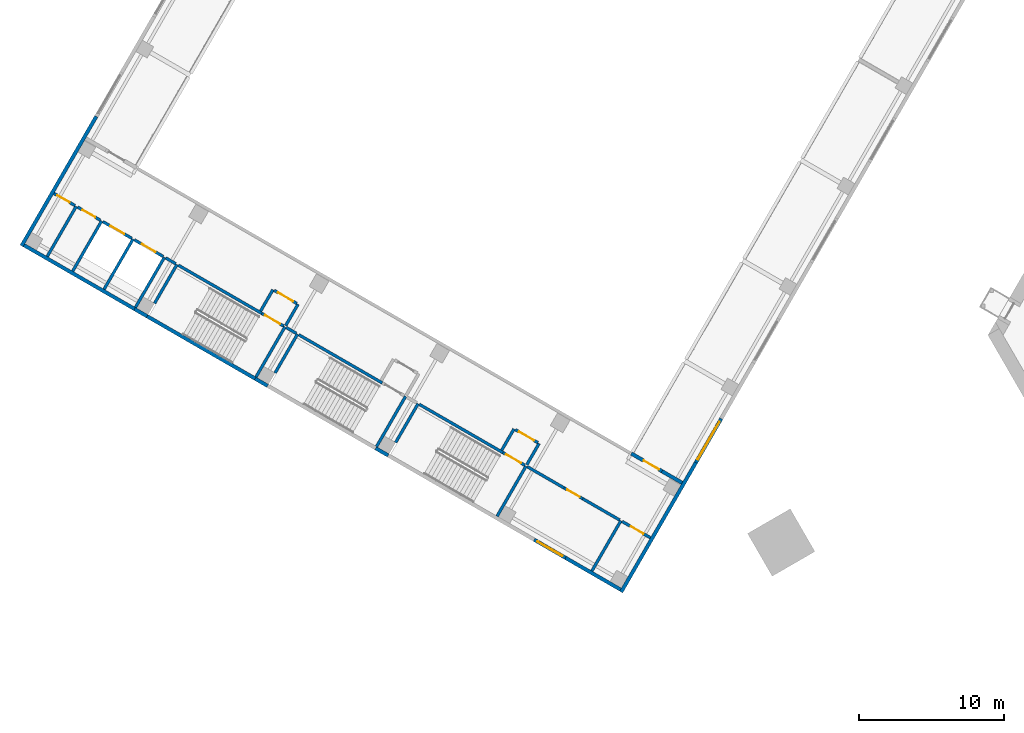
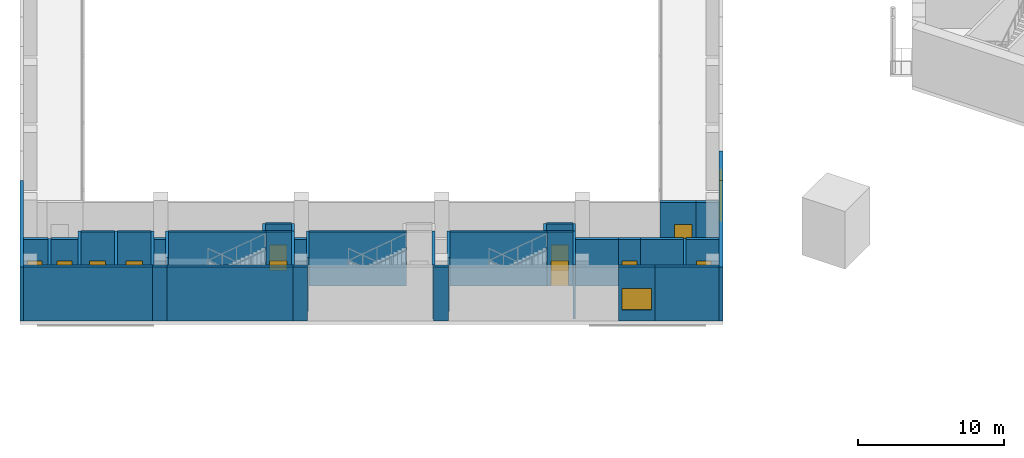
# One storey, part 6 of 28: 44 walls, 11 doors, 2 windows, 13 openings.
"""IFC4 building model written with IfcOpenShell, lengths in metres."""

from ifc_helpers import new_model, si_unit, direction, frame, frame_2d, origin, place, context, subcontext, project, spatial, rectangle, extrude, material, layer, layer_set, type_object, element, fill, save


model = new_model("IFC4")

# Units and contexts
model_context = context("Model", 3, precision=1e-05, world=origin(), true_north=direction((0.0, 1.0)))
body_context = subcontext(model_context, "Body", "Model", "MODEL_VIEW")
ifc_project = project(units=[si_unit("LENGTHUNIT", "METRE"), si_unit("AREAUNIT", "SQUARE_METRE"), si_unit("VOLUMEUNIT", "CUBIC_METRE"), si_unit("PLANEANGLEUNIT", "RADIAN"), si_unit("MASSUNIT", "GRAM", prefix="KILO")], contexts=[model_context])

# Site, building, storey
site_placement = place(None, origin())
site = spatial("IfcSite", under=ifc_project, at=site_placement, CompositionType="ELEMENT")
building_placement = place(site_placement, origin())
building = spatial("IfcBuilding", under=site, at=building_placement, Name="Mestral Congress Tower", CompositionType="ELEMENT")
storey_placement = place(building_placement, frame((0.0, 0.0, 11.39990234375)))
storey = spatial("IfcBuildingStorey", under=building, at=storey_placement, Name="L02", CompositionType="ELEMENT", Elevation=11.39990234375)

# Wall, opening, window
ifc_material_1 = material(Name="Precast concrete C40/50 with limestone facing", Category="masonry")
ifc_layer_1 = layer(ifc_material_1, 0.25)
ifc_layer_set_1 = layer_set([ifc_layer_1], Name="Precast concrete C40/50 with limestone facing")
wall_type_1 = type_object("IfcWallType", Name="Podium external wall 250", PredefinedType="SOLIDWALL", material=ifc_layer_set_1)
wall_1_placement = place(storey_placement, frame((-35.656494140625, -9.653076171875, 0.0), z_axis=(0.0, 0.0, 1.0), x_axis=(-0.500010275428, -0.866019471182, 0.0)))
wall_1 = element("IfcWall", 1, at=wall_1_placement, inside=storey, type_object=wall_type_1, Name="L02 external wall", PredefinedType="SOLIDWALL", context=body_context, shape_type="SweptSolid", body=[
    extrude(rectangle(XDim=3.5, YDim=0.25, at=frame_2d((1.75, 0.0))), origin(), (0.0, 0.0, 1.0), 4.5),
])
opening_1_placement = place(wall_1_placement, frame((0.25, 0.0, 0.89990234375)))
opening_1 = element("IfcOpeningElement", 2, at=opening_1_placement, cuts=wall_1, Name="Opening PW-3000x2200", PredefinedType="OPENING", context=body_context, shape_type="SweptSolid", body=[
    extrude(rectangle(XDim=3.0, YDim=2.199951171875, at=frame_2d((1.5, 1.10009765625))), frame((0.0, 0.135009765625, 0.0), z_axis=(0.0, -1.0, 0.0), x_axis=(1.0, 0.0, 0.0)), (0.0, 0.0, 1.0), 0.27001953125),
])
ifc_material_2 = material(Name="Aluminium frame, clear double glazing", Category="aluminium")
window_type_1 = type_object("IfcWindowType", Name="Podium window 3000x2200 sill 900", PartitioningType="SINGLE_PANEL", PredefinedType="WINDOW", material=ifc_material_2)
window_1_placement = place(opening_1_placement, origin())
window_1 = element("IfcWindow", 3, at=window_1_placement, inside=storey, type_object=window_type_1, Name="Window", OverallHeight=2.199951171875, OverallWidth=3.0, PartitioningType="SINGLE_PANEL", PredefinedType="WINDOW", context=body_context, shape_type="SweptSolid", body=[
    extrude(rectangle(XDim=3.0, YDim=2.199951171875, at=frame_2d((1.5, 1.10009765625))), frame((0.0, 0.030029296875, 0.0), z_axis=(0.0, -1.0, 0.0), x_axis=(1.0, 0.0, 0.0)), (0.0, 0.0, 1.0), 0.06005859375),
])
fill(opening_1, window_1)

# Walls
for number, where, z_axis, x_axis, name in (
    (4, (-37.406494140625, -12.68408203125, 0.0), (0.0, 0.0, 1.0), (-0.500001855621, -0.866024332438, 0.0), "L02 external wall"),
    (5, (-83.915283203125, 2.260498046875, 0.0), (0.0, 0.0, 1.0), (0.500001855621, 0.866024332438, 0.0), "L02 external wall"),
):
    element("IfcWall", number, at=place(storey_placement, frame(where, z_axis=z_axis, x_axis=x_axis)), inside=storey, type_object=wall_type_1, Name=name, PredefinedType="SOLIDWALL", context=body_context, shape_type="SweptSolid", body=[
        extrude(rectangle(XDim=10.31201171875, YDim=0.25, at=frame_2d((5.156005859375, 0.0))), origin(), (0.0, 0.0, 1.0), 4.5),
    ])
wall_2_placement = place(storey_placement, frame((-42.6083984375, -21.44384765625, 0.0), z_axis=(0.0, 0.0, 1.0), x_axis=(-0.866022959057, 0.500004234368, 0.0)))
element("IfcWall", 6, at=wall_2_placement, inside=storey, type_object=wall_type_1, Name="L02 external wall", PredefinedType="SOLIDWALL", context=body_context, shape_type="SweptSolid", body=[
    extrude(rectangle(XDim=4.375, YDim=0.25, at=frame_2d((2.1875, 0.0))), origin(), (0.0, 0.0, 1.0), 4.5),
])

# Wall, opening, window
wall_3_placement = place(storey_placement, frame((-46.397216796875, -19.25634765625, 0.0), z_axis=(0.0, 0.0, 1.0), x_axis=(-0.866022959057, 0.500004234368, 0.0)))
wall_3 = element("IfcWall", 7, at=wall_3_placement, inside=storey, type_object=wall_type_1, Name="L02 external wall", PredefinedType="SOLIDWALL", context=body_context, shape_type="SweptSolid", body=[
    extrude(rectangle(XDim=2.5, YDim=0.25, at=frame_2d((1.25, 0.0))), origin(), (0.0, 0.0, 1.0), 4.5),
])
opening_2_placement = place(wall_3_placement, frame((0.25, 0.0, 0.89990234375)))
opening_2 = element("IfcOpeningElement", 8, at=opening_2_placement, cuts=wall_3, Name="Opening PW-2000x1800", PredefinedType="OPENING", context=body_context, shape_type="SweptSolid", body=[
    extrude(rectangle(XDim=2.0, YDim=1.800048828125, at=frame_2d((1.0, 0.89990234375))), frame((0.0, 0.135009765625, 0.0), z_axis=(0.0, -1.0, 0.0), x_axis=(1.0, 0.0, 0.0)), (0.0, 0.0, 1.0), 0.27001953125),
])
window_type_2 = type_object("IfcWindowType", Name="Podium window 2000x1800 sill 900", PartitioningType="SINGLE_PANEL", PredefinedType="WINDOW", material=ifc_material_2)
window_2_placement = place(opening_2_placement, origin())
window_2 = element("IfcWindow", 9, at=window_2_placement, inside=storey, type_object=window_type_2, Name="Window", OverallHeight=1.800048828125, OverallWidth=2.0, PartitioningType="SINGLE_PANEL", PredefinedType="WINDOW", context=body_context, shape_type="SweptSolid", body=[
    extrude(rectangle(XDim=2.0, YDim=1.800048828125, at=frame_2d((1.0, 0.89990234375))), frame((0.0, 0.030029296875, 0.0), z_axis=(0.0, -1.0, 0.0), x_axis=(1.0, 0.0, 0.0)), (0.0, 0.0, 1.0), 0.06005859375),
])
fill(opening_2, window_2)

# Walls
wall_4_placement = place(storey_placement, frame((-67.8095703125, -6.893798828125, 0.0), z_axis=(0.0, 0.0, 1.0), x_axis=(-0.866028165386, 0.499995216735, 0.0)))
element("IfcWall", 10, at=wall_4_placement, inside=storey, type_object=wall_type_1, Name="L02 external wall", PredefinedType="SOLIDWALL", context=body_context, shape_type="SweptSolid", body=[
    extrude(rectangle(XDim=8.60009765625, YDim=0.25, at=frame_2d((4.300048828125, 0.0))), origin(), (0.0, 0.0, 1.0), 4.5),
])
wall_5_placement = place(storey_placement, frame((-76.12353515625, -2.09375, 0.0), z_axis=(0.0, 0.0, 1.0), x_axis=(-0.866025267465, 0.500000236112, 0.0)))
element("IfcWall", 11, at=wall_5_placement, inside=storey, type_object=wall_type_1, Name="L02 external wall", PredefinedType="SOLIDWALL", context=body_context, shape_type="SweptSolid", body=[
    extrude(rectangle(XDim=8.7998046875, YDim=0.25, at=frame_2d((4.39990234375, 0.0))), origin(), (0.0, 0.0, 1.0), 4.5),
])
for number, where, z_axis, x_axis, name in (
    (12, (-58.6298828125, -12.19384765625, 0.0), (0.0, 0.0, 1.0), (-0.866010750942, 0.50002537861, 0.0), "L02 external wall"),
    (13, (-66.943603515625, -7.393798828125, 0.0), (0.0, 0.0, 1.0), (-0.866010750942, 0.50002537861, 0.0), "L02 external wall"),
    (14, (-75.257568359375, -2.59375, 0.0), (0.0, 0.0, 1.0), (-0.866010750942, 0.50002537861, 0.0), "L02 external wall"),
):
    element("IfcWall", number, at=place(storey_placement, frame(where, z_axis=z_axis, x_axis=x_axis)), inside=storey, type_object=wall_type_1, Name=name, PredefinedType="SOLIDWALL", context=body_context, shape_type="SweptSolid", body=[
        extrude(rectangle(XDim=1.0, YDim=0.25, at=frame_2d((0.5, 0.0))), origin(), (0.0, 0.0, 1.0), 4.5),
    ])
ifc_material_3 = material(Name="Masonry block wall", Category="masonry")
ifc_layer_2 = layer(ifc_material_3, 0.25)
ifc_layer_set_2 = layer_set([ifc_layer_2], Name="Masonry block wall")
wall_type_2 = type_object("IfcWallType", Name="Podium hall wall 250 EI 180", PredefinedType="SOLIDWALL", material=ifc_layer_set_2)
wall_6_placement = place(storey_placement, frame((-38.3583984375, -14.08251953125, 0.0), z_axis=(0.0, 0.0, 1.0), x_axis=(-0.866055983265, 0.499947031044, 0.0)))
element("IfcWall", 15, at=wall_6_placement, inside=storey, type_object=wall_type_2, Name="L02 partition", PredefinedType="SOLIDWALL", context=body_context, shape_type="SweptSolid", body=[
    extrude(rectangle(XDim=1.599853515625, YDim=0.25, at=frame_2d((0.7998046875, 0.0))), origin(), (0.0, 0.0, 1.0), 3.900146484375),
])

# Wall, opening, door
wall_7_placement = place(storey_placement, frame((-39.743896484375, -13.28271484375, 0.0), z_axis=(0.0, 0.0, 1.0), x_axis=(-0.866014668023, 0.500018594424, 0.0)))
wall_7 = element("IfcWall", 16, at=wall_7_placement, inside=storey, type_object=wall_type_2, Name="L02 partition", PredefinedType="SOLIDWALL", context=body_context, shape_type="SweptSolid", body=[
    extrude(rectangle(XDim=2.4501953125, YDim=0.25, at=frame_2d((1.22509765625, 0.0))), origin(), (0.0, 0.0, 1.0), 3.900146484375),
])
opening_3_placement = place(wall_7_placement, frame((0.25, 0.0, 0.0)))
opening_3 = element("IfcOpeningElement", 17, at=opening_3_placement, cuts=wall_7, Name="Opening P02-319", PredefinedType="OPENING", context=body_context, shape_type="SweptSolid", body=[
    extrude(rectangle(XDim=1.199951171875, YDim=2.10009765625, at=frame_2d((0.60009765625, 1.050048828125))), frame((0.0, 0.135009765625, 0.0), z_axis=(0.0, -1.0, 0.0), x_axis=(1.0, 0.0, 0.0)), (0.0, 0.0, 1.0), 0.27001953125),
])
ifc_material_4 = material(Name="Fire-rated steel door set", Category="steel")
door_type_1 = type_object("IfcDoorType", Name="Podium hall door 1200x2100 EI2 90-C5", OperationType="SINGLE_SWING_LEFT", PredefinedType="DOOR", material=ifc_material_4)
door_1_placement = place(opening_3_placement, origin())
door_1 = element("IfcDoor", 18, at=door_1_placement, inside=storey, type_object=door_type_1, Name="Door P02-319", OperationType="SINGLE_SWING_LEFT", OverallHeight=2.10009765625, OverallWidth=1.199951171875, PredefinedType="DOOR", context=body_context, shape_type="SweptSolid", body=[
    extrude(rectangle(XDim=1.199951171875, YDim=2.10009765625, at=frame_2d((0.60009765625, 1.050048828125))), frame((0.0, 0.02490234375, 0.0), z_axis=(0.0, -1.0, 0.0), x_axis=(1.0, 0.0, 0.0)), (0.0, 0.0, 1.0), 0.050048828125),
])
fill(opening_3, door_1)

# Walls
ifc_layer_3 = layer(ifc_material_3, 0.199951171875)
ifc_layer_set_3 = layer_set([ifc_layer_3], Name="Masonry block wall")
wall_type_3 = type_object("IfcWallType", Name="Podium stair enclosure wall 200 EI 120 load-bearing", PredefinedType="SOLIDWALL", material=ifc_layer_set_3)
wall_8_placement = place(storey_placement, frame((-49.119384765625, -12.92138671875, 0.0), z_axis=(0.0, 0.0, 1.0), x_axis=(-0.49999894854, -0.866026010844, 0.0)))
element("IfcWall", 19, at=wall_8_placement, inside=storey, type_object=wall_type_3, Name="L02 partition", PredefinedType="SOLIDWALL", context=body_context, shape_type="SweptSolid", body=[
    extrude(rectangle(XDim=4.0, YDim=0.199951171875, at=frame_2d((2.0, 0.0))), origin(), (0.0, 0.0, 1.0), 4.5),
])
wall_9_placement = place(storey_placement, frame((-56.5673828125, -8.621337890625, 0.0), z_axis=(0.0, 0.0, 1.0), x_axis=(-0.499933790963, -0.866063626216, 0.0)))
element("IfcWall", 20, at=wall_9_placement, inside=storey, type_object=wall_type_3, Name="L02 partition", PredefinedType="SOLIDWALL", context=body_context, shape_type="SweptSolid", body=[
    extrude(rectangle(XDim=3.10009765625, YDim=0.199951171875, at=frame_2d((1.550048828125, 0.0))), origin(), (0.0, 0.0, 1.0), 4.5),
])
wall_10_placement = place(storey_placement, frame((-57.433349609375, -8.121337890625, 0.0), z_axis=(0.0, 0.0, 1.0), x_axis=(-0.49999894854, -0.866026010844, 0.0)))
element("IfcWall", 21, at=wall_10_placement, inside=storey, type_object=wall_type_3, Name="L02 partition", PredefinedType="SOLIDWALL", context=body_context, shape_type="SweptSolid", body=[
    extrude(rectangle(XDim=4.0, YDim=0.199951171875, at=frame_2d((2.0, 0.0))), origin(), (0.0, 0.0, 1.0), 4.5),
])
wall_11_placement = place(storey_placement, frame((-64.881103515625, -3.8212890625, 0.0), z_axis=(0.0, 0.0, 1.0), x_axis=(-0.49999285859, -0.86602952684, 0.0)))
element("IfcWall", 22, at=wall_11_placement, inside=storey, type_object=wall_type_3, Name="L02 partition", PredefinedType="SOLIDWALL", context=body_context, shape_type="SweptSolid", body=[
    extrude(rectangle(XDim=3.10009765625, YDim=0.199951171875, at=frame_2d((1.550048828125, 0.0))), origin(), (0.0, 0.0, 1.0), 4.5),
])
wall_12_placement = place(storey_placement, frame((-65.7470703125, -3.3212890625, 0.0), z_axis=(0.0, 0.0, 1.0), x_axis=(-0.49999894854, -0.866026010844, 0.0)))
element("IfcWall", 23, at=wall_12_placement, inside=storey, type_object=wall_type_3, Name="L02 partition", PredefinedType="SOLIDWALL", context=body_context, shape_type="SweptSolid", body=[
    extrude(rectangle(XDim=4.0, YDim=0.199951171875, at=frame_2d((2.0, 0.0))), origin(), (0.0, 0.0, 1.0), 4.5),
])
wall_13_placement = place(storey_placement, frame((-73.195068359375, 0.978515625, 0.0), z_axis=(0.0, 0.0, 1.0), x_axis=(-0.500026960575, -0.86600983753, 0.0)))
element("IfcWall", 24, at=wall_13_placement, inside=storey, type_object=wall_type_3, Name="L02 partition", PredefinedType="SOLIDWALL", context=body_context, shape_type="SweptSolid", body=[
    extrude(rectangle(XDim=3.099853515625, YDim=0.199951171875, at=frame_2d((1.5498046875, 0.0))), origin(), (0.0, 0.0, 1.0), 4.5),
])

# Wall, opening, door
wall_14_placement = place(storey_placement, frame((-49.2060546875, -12.871337890625, 0.0), z_axis=(0.0, 0.0, 1.0), x_axis=(-0.866036909293, 0.499980071345, 0.0)))
wall_14 = element("IfcWall", 25, at=wall_14_placement, inside=storey, type_object=wall_type_3, Name="L02 partition", PredefinedType="SOLIDWALL", context=body_context, shape_type="SweptSolid", body=[
    extrude(rectangle(XDim=1.75, YDim=0.199951171875, at=frame_2d((0.875, 0.0))), origin(), (0.0, 0.0, 1.0), 4.5),
])
opening_4_placement = place(wall_14_placement, frame((0.300048828125, 0.0, 0.0)))
opening_4 = element("IfcOpeningElement", 26, at=opening_4_placement, cuts=wall_14, Name="Opening P02-304", PredefinedType="OPENING", context=body_context, shape_type="SweptSolid", body=[
    extrude(rectangle(XDim=1.199951171875, YDim=2.10009765625, at=frame_2d((0.60009765625, 1.050048828125))), frame((0.0, 0.10986328125, 0.0), z_axis=(0.0, -1.0, 0.0), x_axis=(1.0, 0.0, 0.0)), (0.0, 0.0, 1.0), 0.219970703125),
])
door_type_2 = type_object("IfcDoorType", Name="Podium stair door 1200x2100 EI2 30-C5", OperationType="SINGLE_SWING_LEFT", PredefinedType="DOOR", material=ifc_material_4)
door_2_placement = place(opening_4_placement, origin())
door_2 = element("IfcDoor", 27, at=door_2_placement, inside=storey, type_object=door_type_2, Name="Door P02-304", OperationType="SINGLE_SWING_LEFT", OverallHeight=2.10009765625, OverallWidth=1.199951171875, PredefinedType="DOOR", context=body_context, shape_type="SweptSolid", body=[
    extrude(rectangle(XDim=1.199951171875, YDim=2.10009765625, at=frame_2d((0.60009765625, 1.050048828125))), frame((0.0, 0.02490234375, 0.0), z_axis=(0.0, -1.0, 0.0), x_axis=(1.0, 0.0, 0.0)), (0.0, 0.0, 1.0), 0.050048828125),
])
fill(opening_4, door_2)

# Walls
for number, where, z_axis, x_axis, name in (
    (28, (-50.7216796875, -11.996337890625, 0.0), (0.0, 0.0, 1.0), (-0.866027239912, 0.49999681972, 0.0), "L02 partition"),
    (29, (-59.035400390625, -7.1962890625, 0.0), (0.0, 0.0, 1.0), (-0.866027239912, 0.49999681972, 0.0), "L02 partition"),
):
    element("IfcWall", number, at=place(storey_placement, frame(where, z_axis=z_axis, x_axis=x_axis)), inside=storey, type_object=wall_type_3, Name=name, PredefinedType="SOLIDWALL", context=body_context, shape_type="SweptSolid", body=[
        extrude(rectangle(XDim=6.64990234375, YDim=0.199951171875, at=frame_2d((3.324951171875, 0.0))), origin(), (0.0, 0.0, 1.0), 4.5),
    ])

# Wall, opening, door
wall_15_placement = place(storey_placement, frame((-65.833740234375, -3.271484375, 0.0), z_axis=(0.0, 0.0, 1.0), x_axis=(-0.866036909293, 0.499980071345, 0.0)))
wall_15 = element("IfcWall", 30, at=wall_15_placement, inside=storey, type_object=wall_type_3, Name="L02 partition", PredefinedType="SOLIDWALL", context=body_context, shape_type="SweptSolid", body=[
    extrude(rectangle(XDim=1.75, YDim=0.199951171875, at=frame_2d((0.875, 0.0))), origin(), (0.0, 0.0, 1.0), 4.5),
])
opening_5_placement = place(wall_15_placement, frame((0.300048828125, 0.0, 0.0)))
opening_5 = element("IfcOpeningElement", 31, at=opening_5_placement, cuts=wall_15, Name="Opening P02-306", PredefinedType="OPENING", context=body_context, shape_type="SweptSolid", body=[
    extrude(rectangle(XDim=1.199951171875, YDim=2.10009765625, at=frame_2d((0.60009765625, 1.050048828125))), frame((0.0, 0.10986328125, 0.0), z_axis=(0.0, -1.0, 0.0), x_axis=(1.0, 0.0, 0.0)), (0.0, 0.0, 1.0), 0.219970703125),
])
door_3_placement = place(opening_5_placement, origin())
door_3 = element("IfcDoor", 32, at=door_3_placement, inside=storey, type_object=door_type_2, Name="Door P02-306", OperationType="SINGLE_SWING_LEFT", OverallHeight=2.10009765625, OverallWidth=1.199951171875, PredefinedType="DOOR", context=body_context, shape_type="SweptSolid", body=[
    extrude(rectangle(XDim=1.199951171875, YDim=2.10009765625, at=frame_2d((0.60009765625, 1.050048828125))), frame((0.0, 0.02490234375, 0.0), z_axis=(0.0, -1.0, 0.0), x_axis=(1.0, 0.0, 0.0)), (0.0, 0.0, 1.0), 0.050048828125),
])
fill(opening_5, door_3)

# Walls
wall_16_placement = place(storey_placement, frame((-67.349365234375, -2.396484375, 0.0), z_axis=(0.0, 0.0, 1.0), x_axis=(-0.86601134256, 0.500024353964, 0.0)))
element("IfcWall", 33, at=wall_16_placement, inside=storey, type_object=wall_type_3, Name="L02 partition", PredefinedType="SOLIDWALL", context=body_context, shape_type="SweptSolid", body=[
    extrude(rectangle(XDim=6.650146484375, YDim=0.199951171875, at=frame_2d((3.3251953125, 0.0))), origin(), (0.0, 0.0, 1.0), 4.5),
])
for number, where, z_axis, x_axis, name in (
    (34, (-74.06103515625, 1.478515625, 0.0), (0.0, 0.0, 1.0), (-0.49999894854, -0.866026010844, 0.0), "L02 partition"),
    (35, (-76.22607421875, 2.728515625, 0.0), (0.0, 0.0, 1.0), (-0.49999894854, -0.866026010844, 0.0), "L02 partition"),
    (36, (-78.39111328125, 3.978515625, 0.0), (0.0, 0.0, 1.0), (-0.49999894854, -0.866026010844, 0.0), "L02 partition"),
):
    element("IfcWall", number, at=place(storey_placement, frame(where, z_axis=z_axis, x_axis=x_axis)), inside=storey, type_object=wall_type_3, Name=name, PredefinedType="SOLIDWALL", context=body_context, shape_type="SweptSolid", body=[
        extrude(rectangle(XDim=4.0, YDim=0.199951171875, at=frame_2d((2.0, 0.0))), origin(), (0.0, 0.0, 1.0), 4.5),
    ])

# Wall, opening, door
wall_17_placement = place(storey_placement, frame((-74.147705078125, 1.528564453125, 0.0), z_axis=(0.0, 0.0, 1.0), x_axis=(-0.865980515519, 0.500077740698, 0.0)))
wall_17 = element("IfcWall", 37, at=wall_17_placement, inside=storey, type_object=wall_type_3, Name="L02 partition", PredefinedType="SOLIDWALL", context=body_context, shape_type="SweptSolid", body=[
    extrude(rectangle(XDim=2.300048828125, YDim=0.199951171875, at=frame_2d((1.14990234375, 0.0))), origin(), (0.0, 0.0, 1.0), 4.5),
])
opening_6_placement = place(wall_17_placement, frame((0.60009765625, 0.0, 0.0)))
opening_6 = element("IfcOpeningElement", 38, at=opening_6_placement, cuts=wall_17, Name="Opening P02-309", PredefinedType="OPENING", context=body_context, shape_type="SweptSolid", body=[
    extrude(rectangle(XDim=1.10009765625, YDim=2.10009765625, at=frame_2d((0.550048828125, 1.050048828125))), frame((0.0, 0.10986328125, 0.0), z_axis=(0.0, -1.0, 0.0), x_axis=(1.0, 0.0, 0.0)), (0.0, 0.0, 1.0), 0.219970703125),
])
door_type_3 = type_object("IfcDoorType", Name="Podium lift landing door 1100x2100 EI2 60-C5", OperationType="DOUBLE_DOOR_SLIDING", PredefinedType="DOOR", material=ifc_material_4)
door_4_placement = place(opening_6_placement, origin())
door_4 = element("IfcDoor", 39, at=door_4_placement, inside=storey, type_object=door_type_3, Name="Door P02-309", OperationType="DOUBLE_DOOR_SLIDING", OverallHeight=2.10009765625, OverallWidth=1.10009765625, PredefinedType="DOOR", context=body_context, shape_type="SweptSolid", body=[
    extrude(rectangle(XDim=1.10009765625, YDim=2.10009765625, at=frame_2d((0.550048828125, 1.050048828125))), frame((0.0, 0.02490234375, 0.0), z_axis=(0.0, -1.0, 0.0), x_axis=(1.0, 0.0, 0.0)), (0.0, 0.0, 1.0), 0.050048828125),
])
fill(opening_6, door_4)

wall_18_placement = place(storey_placement, frame((-76.312744140625, 2.778564453125, 0.0), z_axis=(0.0, 0.0, 1.0), x_axis=(-0.865980515519, 0.500077740698, 0.0)))
wall_18 = element("IfcWall", 40, at=wall_18_placement, inside=storey, type_object=wall_type_3, Name="L02 partition", PredefinedType="SOLIDWALL", context=body_context, shape_type="SweptSolid", body=[
    extrude(rectangle(XDim=2.300048828125, YDim=0.199951171875, at=frame_2d((1.14990234375, 0.0))), origin(), (0.0, 0.0, 1.0), 4.5),
])
opening_7_placement = place(wall_18_placement, frame((0.60009765625, 0.0, 0.0)))
opening_7 = element("IfcOpeningElement", 41, at=opening_7_placement, cuts=wall_18, Name="Opening P02-310", PredefinedType="OPENING", context=body_context, shape_type="SweptSolid", body=[
    extrude(rectangle(XDim=1.10009765625, YDim=2.10009765625, at=frame_2d((0.550048828125, 1.050048828125))), frame((0.0, 0.10986328125, 0.0), z_axis=(0.0, -1.0, 0.0), x_axis=(1.0, 0.0, 0.0)), (0.0, 0.0, 1.0), 0.219970703125),
])
door_5_placement = place(opening_7_placement, origin())
door_5 = element("IfcDoor", 42, at=door_5_placement, inside=storey, type_object=door_type_3, Name="Door P02-310", OperationType="DOUBLE_DOOR_SLIDING", OverallHeight=2.10009765625, OverallWidth=1.10009765625, PredefinedType="DOOR", context=body_context, shape_type="SweptSolid", body=[
    extrude(rectangle(XDim=1.10009765625, YDim=2.10009765625, at=frame_2d((0.550048828125, 1.050048828125))), frame((0.0, 0.02490234375, 0.0), z_axis=(0.0, -1.0, 0.0), x_axis=(1.0, 0.0, 0.0)), (0.0, 0.0, 1.0), 0.050048828125),
])
fill(opening_7, door_5)

# Walls
ifc_material_5 = material(Name="Fire-rated board partition")
ifc_layer_4 = layer(ifc_material_5, 0.199951171875)
ifc_layer_set_4 = layer_set([ifc_layer_4], Name="Fire-rated board partition")
wall_type_4 = type_object("IfcWallType", Name="Podium vestibule wall 200 EI 120", PredefinedType="PARTITIONING", material=ifc_layer_set_4)
for number, where, z_axis, x_axis, name in (
    (43, (-48.219482421875, -11.362548828125, 0.0), (0.0, 0.0, 1.0), (-0.500062241894, -0.865989465428, 0.0), "L02 partition"),
    (44, (-49.951416015625, -10.362548828125, 0.0), (0.0, 0.0, 1.0), (-0.500062241894, -0.865989465428, 0.0), "L02 partition"),
    (45, (-64.84716796875, -1.7626953125, 0.0), (0.0, 0.0, 1.0), (-0.499954529098, -0.86605165483, 0.0), "L02 partition"),
    (46, (-66.5791015625, -0.7626953125, 0.0), (0.0, 0.0, 1.0), (-0.500062241894, -0.865989465428, 0.0), "L02 partition"),
):
    element("IfcWall", number, at=place(storey_placement, frame(where, z_axis=z_axis, x_axis=x_axis)), inside=storey, type_object=wall_type_4, Name=name, PredefinedType="PARTITIONING", context=body_context, shape_type="SweptSolid", body=[
        extrude(rectangle(XDim=1.699951171875, YDim=0.199951171875, at=frame_2d((0.85009765625, 0.0))), origin(), (0.0, 0.0, 1.0), 3.900146484375),
    ])

# Wall, opening, door
wall_19_placement = place(storey_placement, frame((-48.30615234375, -11.3125, 0.0), z_axis=(0.0, 0.0, 1.0), x_axis=(-0.866047807691, 0.499961193289, 0.0)))
wall_19 = element("IfcWall", 47, at=wall_19_placement, inside=storey, type_object=wall_type_4, Name="L02 partition", PredefinedType="PARTITIONING", context=body_context, shape_type="SweptSolid", body=[
    extrude(rectangle(XDim=1.800048828125, YDim=0.199951171875, at=frame_2d((0.89990234375, 0.0))), origin(), (0.0, 0.0, 1.0), 3.900146484375),
])
opening_8_placement = place(wall_19_placement, frame((0.300048828125, 0.0, 0.0)))
opening_8 = element("IfcOpeningElement", 48, at=opening_8_placement, cuts=wall_19, Name="Opening P02-314", PredefinedType="OPENING", context=body_context, shape_type="SweptSolid", body=[
    extrude(rectangle(XDim=1.199951171875, YDim=2.10009765625, at=frame_2d((0.60009765625, 1.050048828125))), frame((0.0, 0.10986328125, 0.0), z_axis=(0.0, -1.0, 0.0), x_axis=(1.0, 0.0, 0.0)), (0.0, 0.0, 1.0), 0.219970703125),
])
door_type_4 = type_object("IfcDoorType", Name="Podium vestibule door 1200x2100 EI2 30-C5", OperationType="SINGLE_SWING_LEFT", PredefinedType="DOOR", material=ifc_material_4)
door_6_placement = place(opening_8_placement, origin())
door_6 = element("IfcDoor", 49, at=door_6_placement, inside=storey, type_object=door_type_4, Name="Door P02-314", OperationType="SINGLE_SWING_LEFT", OverallHeight=2.10009765625, OverallWidth=1.199951171875, PredefinedType="DOOR", context=body_context, shape_type="SweptSolid", body=[
    extrude(rectangle(XDim=1.199951171875, YDim=2.10009765625, at=frame_2d((0.60009765625, 1.050048828125))), frame((0.0, 0.02490234375, 0.0), z_axis=(0.0, -1.0, 0.0), x_axis=(1.0, 0.0, 0.0)), (0.0, 0.0, 1.0), 0.050048828125),
])
fill(opening_8, door_6)

wall_20_placement = place(storey_placement, frame((-64.93359375, -1.712646484375, 0.0), z_axis=(0.0, 0.0, 1.0), x_axis=(-0.866022985545, 0.500004188491, 0.0)))
wall_20 = element("IfcWall", 50, at=wall_20_placement, inside=storey, type_object=wall_type_4, Name="L02 partition", PredefinedType="PARTITIONING", context=body_context, shape_type="SweptSolid", body=[
    extrude(rectangle(XDim=1.80029296875, YDim=0.199951171875, at=frame_2d((0.900146484375, 0.0))), origin(), (0.0, 0.0, 1.0), 3.900146484375),
])
opening_9_placement = place(wall_20_placement, frame((0.300048828125, 0.0, 0.0)))
opening_9 = element("IfcOpeningElement", 51, at=opening_9_placement, cuts=wall_20, Name="Opening P02-316", PredefinedType="OPENING", context=body_context, shape_type="SweptSolid", body=[
    extrude(rectangle(XDim=1.199951171875, YDim=2.10009765625, at=frame_2d((0.60009765625, 1.050048828125))), frame((0.0, 0.10986328125, 0.0), z_axis=(0.0, -1.0, 0.0), x_axis=(1.0, 0.0, 0.0)), (0.0, 0.0, 1.0), 0.219970703125),
])
door_7_placement = place(opening_9_placement, origin())
door_7 = element("IfcDoor", 52, at=door_7_placement, inside=storey, type_object=door_type_4, Name="Door P02-316", OperationType="SINGLE_SWING_LEFT", OverallHeight=2.10009765625, OverallWidth=1.199951171875, PredefinedType="DOOR", context=body_context, shape_type="SweptSolid", body=[
    extrude(rectangle(XDim=1.199951171875, YDim=2.10009765625, at=frame_2d((0.60009765625, 1.050048828125))), frame((0.0, 0.02490234375, 0.0), z_axis=(0.0, -1.0, 0.0), x_axis=(1.0, 0.0, 0.0)), (0.0, 0.0, 1.0), 0.050048828125),
])
fill(opening_9, door_7)

# Walls
for number, where, z_axis, x_axis, name in (
    (53, (-42.5810546875, -16.6962890625, 0.0), (0.0, 0.0, 1.0), (-0.49999894854, -0.866026010844, 0.0), "L02 partition"),
    (54, (-80.144775390625, 4.9912109375, 0.0), (0.0, 0.0, 1.0), (-0.49999894854, -0.866026010844, 0.0), "L02 partition"),
):
    element("IfcWall", number, at=place(storey_placement, frame(where, z_axis=z_axis, x_axis=x_axis)), inside=storey, type_object=wall_type_4, Name=name, PredefinedType="PARTITIONING", context=body_context, shape_type="SweptSolid", body=[
        extrude(rectangle(XDim=4.0, YDim=0.199951171875, at=frame_2d((2.0, 0.0))), origin(), (0.0, 0.0, 1.0), 3.900146484375),
    ])

# Wall, opening, door
wall_21_placement = place(storey_placement, frame((-40.5458984375, -17.871337890625, 0.0), z_axis=(0.0, 0.0, 1.0), x_axis=(-0.866017533419, 0.500013631625, 0.0)))
wall_21 = element("IfcWall", 55, at=wall_21_placement, inside=storey, type_object=wall_type_4, Name="L02 partition", PredefinedType="PARTITIONING", context=body_context, shape_type="SweptSolid", body=[
    extrude(rectangle(XDim=2.25, YDim=0.199951171875, at=frame_2d((1.125, 0.0))), origin(), (0.0, 0.0, 1.0), 3.900146484375),
])
opening_10_placement = place(wall_21_placement, frame((0.550048828125, 0.0, 0.0)))
opening_10 = element("IfcOpeningElement", 56, at=opening_10_placement, cuts=wall_21, Name="Opening P02-324", PredefinedType="OPENING", context=body_context, shape_type="SweptSolid", body=[
    extrude(rectangle(XDim=1.0, YDim=2.10009765625, at=frame_2d((0.5, 1.050048828125))), frame((0.0, 0.10986328125, 0.0), z_axis=(0.0, -1.0, 0.0), x_axis=(1.0, 0.0, 0.0)), (0.0, 0.0, 1.0), 0.219970703125),
])
door_type_5 = type_object("IfcDoorType", Name="Podium room door 1000x2100 EI2 30-C5", OperationType="SINGLE_SWING_LEFT", PredefinedType="DOOR", material=ifc_material_4)
door_8_placement = place(opening_10_placement, origin())
door_8 = element("IfcDoor", 57, at=door_8_placement, inside=storey, type_object=door_type_5, Name="Door P02-324", OperationType="SINGLE_SWING_LEFT", OverallHeight=2.10009765625, OverallWidth=1.0, PredefinedType="DOOR", context=body_context, shape_type="SweptSolid", body=[
    extrude(rectangle(XDim=1.0, YDim=2.10009765625, at=frame_2d((0.5, 1.050048828125))), frame((0.0, 0.02490234375, 0.0), z_axis=(0.0, -1.0, 0.0), x_axis=(1.0, 0.0, 0.0)), (0.0, 0.0, 1.0), 0.050048828125),
])
fill(opening_10, door_8)

wall_22_placement = place(storey_placement, frame((-78.477783203125, 4.028564453125, 0.0), z_axis=(0.0, 0.0, 1.0), x_axis=(-0.865978377894, 0.500081442387, 0.0)))
wall_22 = element("IfcWall", 58, at=wall_22_placement, inside=storey, type_object=wall_type_4, Name="L02 partition", PredefinedType="PARTITIONING", context=body_context, shape_type="SweptSolid", body=[
    extrude(rectangle(XDim=1.824951171875, YDim=0.199951171875, at=frame_2d((0.91259765625, 0.0))), origin(), (0.0, 0.0, 1.0), 3.900146484375),
])
opening_11_placement = place(wall_22_placement, frame((0.41259765625, 0.0, 0.0)))
opening_11 = element("IfcOpeningElement", 59, at=opening_11_placement, cuts=wall_22, Name="Opening P02-325", PredefinedType="OPENING", context=body_context, shape_type="SweptSolid", body=[
    extrude(rectangle(XDim=1.0, YDim=2.10009765625, at=frame_2d((0.5, 1.050048828125))), frame((0.0, 0.10986328125, 0.0), z_axis=(0.0, -1.0, 0.0), x_axis=(1.0, 0.0, 0.0)), (0.0, 0.0, 1.0), 0.219970703125),
])
door_9_placement = place(opening_11_placement, origin())
door_9 = element("IfcDoor", 60, at=door_9_placement, inside=storey, type_object=door_type_5, Name="Door P02-325", OperationType="SINGLE_SWING_LEFT", OverallHeight=2.10009765625, OverallWidth=1.0, PredefinedType="DOOR", context=body_context, shape_type="SweptSolid", body=[
    extrude(rectangle(XDim=1.0, YDim=2.10009765625, at=frame_2d((0.5, 1.050048828125))), frame((0.0, 0.02490234375, 0.0), z_axis=(0.0, -1.0, 0.0), x_axis=(1.0, 0.0, 0.0)), (0.0, 0.0, 1.0), 0.050048828125),
])
fill(opening_11, door_9)

wall_23_placement = place(storey_placement, frame((-80.2314453125, 5.041015625, 0.0), z_axis=(0.0, 0.0, 1.0), x_axis=(-0.865964676353, 0.500105168249, 0.0)))
wall_23 = element("IfcWall", 61, at=wall_23_placement, inside=storey, type_object=wall_type_4, Name="L02 partition", PredefinedType="PARTITIONING", context=body_context, shape_type="SweptSolid", body=[
    extrude(rectangle(XDim=1.675048828125, YDim=0.199951171875, at=frame_2d((0.83740234375, 0.0))), origin(), (0.0, 0.0, 1.0), 3.900146484375),
])
opening_12_placement = place(wall_23_placement, frame((0.41259765625, 0.0, 0.0)))
opening_12 = element("IfcOpeningElement", 62, at=opening_12_placement, cuts=wall_23, Name="Opening P02-326", PredefinedType="OPENING", context=body_context, shape_type="SweptSolid", body=[
    extrude(rectangle(XDim=1.0, YDim=2.10009765625, at=frame_2d((0.5, 1.050048828125))), frame((0.0, 0.10986328125, 0.0), z_axis=(0.0, -1.0, 0.0), x_axis=(1.0, 0.0, 0.0)), (0.0, 0.0, 1.0), 0.219970703125),
])
door_10_placement = place(opening_12_placement, origin())
door_10 = element("IfcDoor", 63, at=door_10_placement, inside=storey, type_object=door_type_5, Name="Door P02-326", OperationType="SINGLE_SWING_LEFT", OverallHeight=2.10009765625, OverallWidth=1.0, PredefinedType="DOOR", context=body_context, shape_type="SweptSolid", body=[
    extrude(rectangle(XDim=1.0, YDim=2.10009765625, at=frame_2d((0.5, 1.050048828125))), frame((0.0, 0.02490234375, 0.0), z_axis=(0.0, -1.0, 0.0), x_axis=(1.0, 0.0, 0.0)), (0.0, 0.0, 1.0), 0.050048828125),
])
fill(opening_12, door_10)

# Wall
wall_24_placement = place(storey_placement, frame((-42.66748046875, -16.646484375, 0.0), z_axis=(0.0, 0.0, 1.0), x_axis=(-0.86601045545, 0.500025890382, 0.0)))
element("IfcWall", 64, at=wall_24_placement, inside=storey, type_object=wall_type_4, Name="L02 partition", PredefinedType="PARTITIONING", context=body_context, shape_type="SweptSolid", body=[
    extrude(rectangle(XDim=2.925048828125, YDim=0.199951171875, at=frame_2d((1.46240234375, 0.0))), origin(), (0.0, 0.0, 1.0), 3.900146484375),
])

# Wall, opening, door
wall_25_placement = place(storey_placement, frame((-45.20068359375, -15.183837890625, 0.0), z_axis=(0.0, 0.0, 1.0), x_axis=(-0.866031096941, 0.499990139034, 0.0)))
wall_25 = element("IfcWall", 65, at=wall_25_placement, inside=storey, type_object=wall_type_4, Name="L02 partition", PredefinedType="PARTITIONING", context=body_context, shape_type="SweptSolid", body=[
    extrude(rectangle(XDim=1.5, YDim=0.199951171875, at=frame_2d((0.75, 0.0))), origin(), (0.0, 0.0, 1.0), 3.900146484375),
])
opening_13_placement = place(wall_25_placement, frame((0.25, 0.0, 0.0)))
opening_13 = element("IfcOpeningElement", 66, at=opening_13_placement, cuts=wall_25, Name="Opening P02-329", PredefinedType="OPENING", context=body_context, shape_type="SweptSolid", body=[
    extrude(rectangle(XDim=1.0, YDim=2.10009765625, at=frame_2d((0.5, 1.050048828125))), frame((0.0, 0.10986328125, 0.0), z_axis=(0.0, -1.0, 0.0), x_axis=(1.0, 0.0, 0.0)), (0.0, 0.0, 1.0), 0.219970703125),
])
door_11_placement = place(opening_13_placement, origin())
door_11 = element("IfcDoor", 67, at=door_11_placement, inside=storey, type_object=door_type_5, Name="Door P02-329", OperationType="SINGLE_SWING_LEFT", OverallHeight=2.10009765625, OverallWidth=1.0, PredefinedType="DOOR", context=body_context, shape_type="SweptSolid", body=[
    extrude(rectangle(XDim=1.0, YDim=2.10009765625, at=frame_2d((0.5, 1.050048828125))), frame((0.0, 0.02490234375, 0.0), z_axis=(0.0, -1.0, 0.0), x_axis=(1.0, 0.0, 0.0)), (0.0, 0.0, 1.0), 0.050048828125),
])
fill(opening_13, door_11)

# Walls
wall_26_placement = place(storey_placement, frame((-46.499755859375, -14.433837890625, 0.0), z_axis=(0.0, 0.0, 1.0), x_axis=(-0.866046596414, 0.499963291492, 0.0)))
element("IfcWall", 68, at=wall_26_placement, inside=storey, type_object=wall_type_4, Name="L02 partition", PredefinedType="PARTITIONING", context=body_context, shape_type="SweptSolid", body=[
    extrude(rectangle(XDim=2.925048828125, YDim=0.199951171875, at=frame_2d((1.46240234375, 0.0))), origin(), (0.0, 0.0, 1.0), 3.900146484375),
])
wall_27_placement = place(storey_placement, frame((-64.9677734375, -3.771484375, 0.0), z_axis=(0.0, 0.0, 1.0), x_axis=(-0.865885638426, 0.500242002602, 0.0)))
element("IfcWall", 69, at=wall_27_placement, inside=storey, type_object=wall_type_4, Name="L02 partition", PredefinedType="PARTITIONING", context=body_context, shape_type="SweptSolid", body=[
    extrude(rectangle(XDim=0.7998046875, YDim=0.199951171875, at=frame_2d((0.39990234375, 0.0))), origin(), (0.0, 0.0, 1.0), 3.900146484375),
])
wall_28_placement = place(storey_placement, frame((-73.281494140625, 1.028564453125, 0.0), z_axis=(0.0, 0.0, 1.0), x_axis=(-0.865961984968, 0.500109828528, 0.0)))
element("IfcWall", 70, at=wall_28_placement, inside=storey, type_object=wall_type_4, Name="L02 partition", PredefinedType="PARTITIONING", context=body_context, shape_type="SweptSolid", body=[
    extrude(rectangle(XDim=0.800048828125, YDim=0.199951171875, at=frame_2d((0.39990234375, 0.0))), origin(), (0.0, 0.0, 1.0), 3.900146484375),
])

save(model, "model.ifc")
